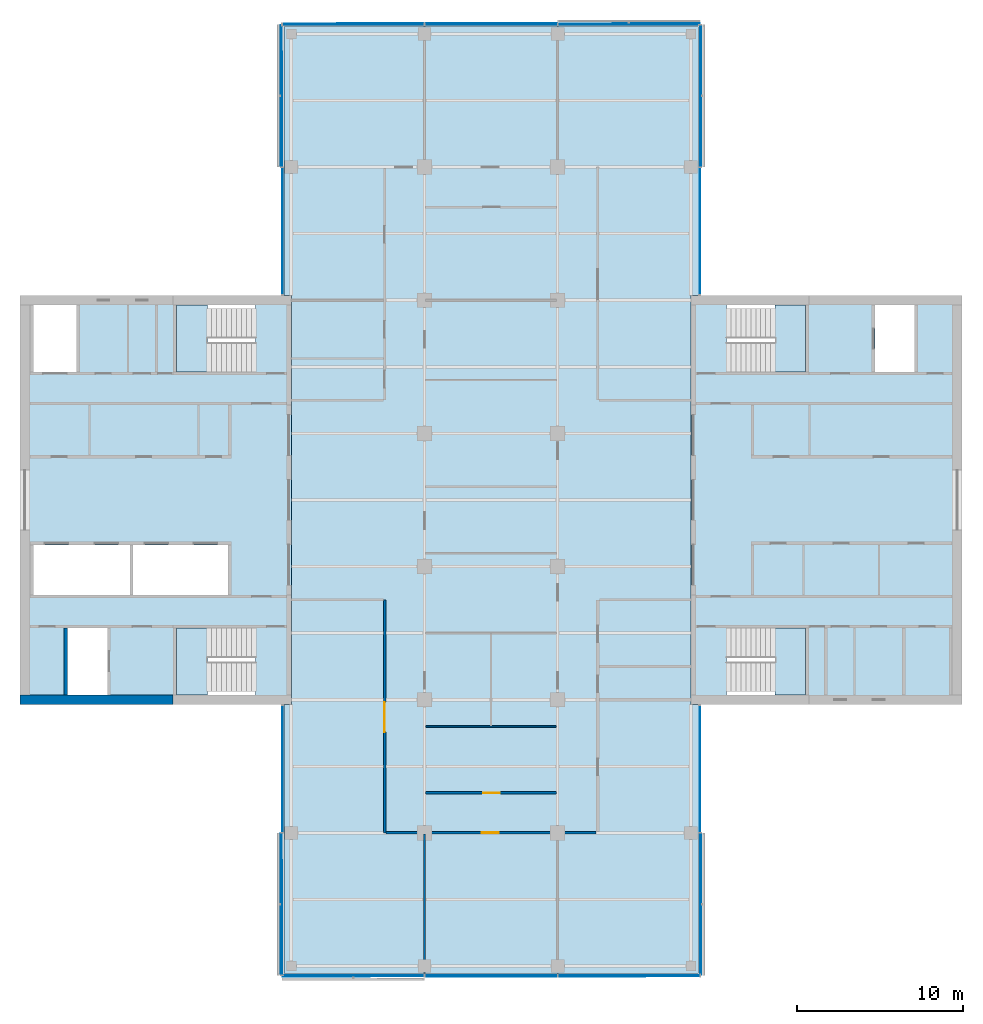
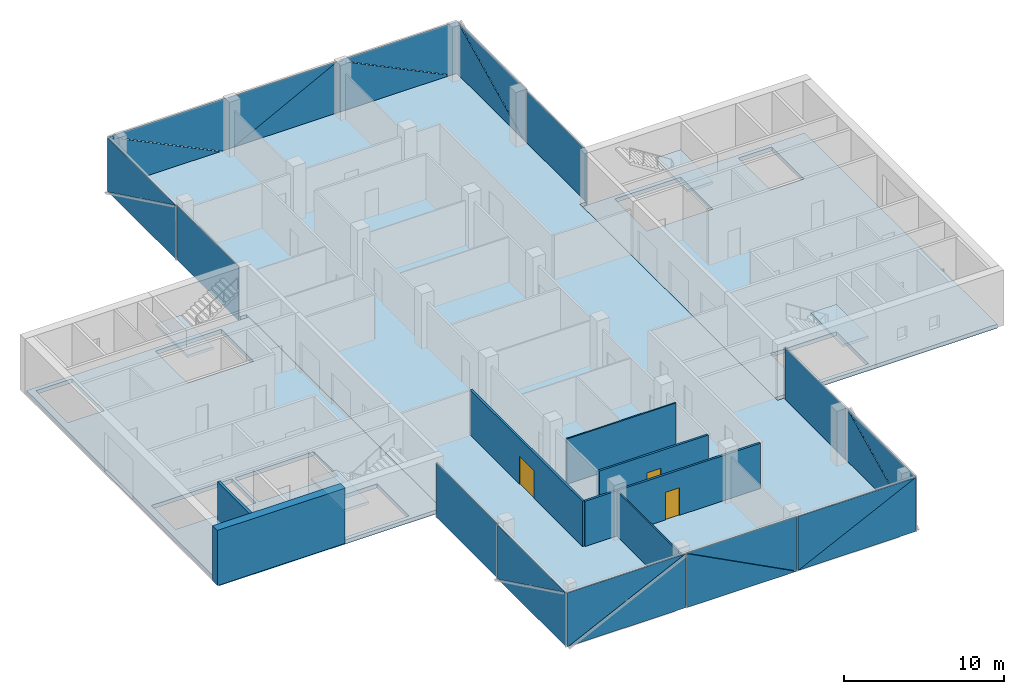
# One storey, part 8 of 15: 24 plates, 7 slabs, 7 walls, 3 doors, 3 openings, 14 elements without a shape of their own.
"""IFC4 building model written with IfcOpenShell, lengths in metres."""

from ifc_helpers import new_model, si_unit, direction, frame, frame_2d, origin, place, context, subcontext, project, spatial, polyline, rectangle, outline, extrude, material, layer, layer_set, constituent, constituent_set, type_object, element, fill, aggregate, save


model = new_model("IFC4")

# Units and contexts
model_context = context("Model", 3, precision=1e-05, world=origin(), true_north=direction((0.0, 1.0)))
body_context = subcontext(model_context, "Body", "Model", "MODEL_VIEW")
ifc_project = project(units=[si_unit("LENGTHUNIT", "METRE"), si_unit("AREAUNIT", "SQUARE_METRE"), si_unit("VOLUMEUNIT", "CUBIC_METRE"), si_unit("PLANEANGLEUNIT", "RADIAN"), si_unit("MASSUNIT", "GRAM", prefix="KILO")], contexts=[model_context])

# Site, building, storey
site_placement = place(None, origin())
site = spatial("IfcSite", under=ifc_project, at=site_placement, CompositionType="ELEMENT")
building_placement = place(site_placement, origin())
building = spatial("IfcBuilding", under=site, at=building_placement, Name="Crosswind Convention Tower", CompositionType="ELEMENT")
storey_placement = place(building_placement, frame((0.0, 0.0, 183.10009765625)))
storey = spatial("IfcBuildingStorey", under=building, at=storey_placement, Name="L38", CompositionType="ELEMENT", Elevation=183.10009765625)

# Slabs
ifc_material_1 = material(Name="Concrete C40/50", Category="concrete")
ifc_layer_1 = layer(ifc_material_1, 0.300048828125)
ifc_layer_set_1 = layer_set([ifc_layer_1], Name="Concrete C40/50")
slab_type_1 = type_object("IfcSlabType", Name="Composite floor slab 300", PredefinedType="FLOOR", material=ifc_layer_set_1)
slab_1_placement = place(storey_placement, frame((0.0, 0.0, -0.300048828125)))
element("IfcSlab", 1, at=slab_1_placement, inside=storey, type_object=slab_type_1, Name="Floor slab L38", PredefinedType="FLOOR", context=body_context, shape_type="SweptSolid", body=[
    extrude(outline(polyline([(137.449951171875, 71.550048828125), (137.0, 71.550048828125), (113.0, 71.550048828125), (112.550048828125, 71.550048828125), (112.550048828125, 72.0), (112.550048828125, 87.699951171875), (113.0, 87.699951171875), (113.0, 112.300048828125), (112.550048828125, 112.300048828125), (112.550048828125, 128.0), (112.550048828125, 128.449951171875), (113.0, 128.449951171875), (137.0, 128.449951171875), (137.449951171875, 128.449951171875), (137.449951171875, 128.0), (137.449951171875, 112.300048828125), (137.0, 112.300048828125), (137.0, 87.699951171875), (137.449951171875, 87.699951171875), (137.449951171875, 72.0), (137.449951171875, 71.550048828125)])), origin(), (0.0, 0.0, 1.0), 0.300048828125),
])
ifc_layer_2 = layer(ifc_material_1, 0.300048828125)
ifc_layer_set_2 = layer_set([ifc_layer_2], Name="Concrete C40/50")
slab_type_2 = type_object("IfcSlabType", Name="Concrete core floor slab 300", PredefinedType="FLOOR", material=ifc_layer_set_2)
slab_2_placement = place(storey_placement, frame((0.0, 0.0, -0.300048828125)))
element("IfcSlab", 2, at=slab_2_placement, inside=storey, type_object=slab_type_2, Name="Core floor slab E L38", PredefinedType="FLOOR", context=body_context, shape_type="SweptSolid", body=[
    extrude(outline(polyline([(137.0, 88.0), (153.0, 88.0), (153.0, 112.0), (137.0, 112.0), (137.0, 88.0)]), holes=[polyline([(150.449951171875, 107.699951171875), (150.449951171875, 111.699951171875), (148.050048828125, 111.699951171875), (148.050048828125, 107.699951171875), (150.449951171875, 107.699951171875)]), polyline([(143.89990234375, 107.699951171875), (143.89990234375, 111.699951171875), (139.14990234375, 111.699951171875), (139.14990234375, 107.699951171875), (143.89990234375, 107.699951171875)]), polyline([(143.89990234375, 88.300048828125), (143.89990234375, 92.300048828125), (139.14990234375, 92.300048828125), (139.14990234375, 88.300048828125), (143.89990234375, 88.300048828125)])]), origin(), (0.0, 0.0, 1.0), 0.300048828125),
])
slab_3_placement = place(storey_placement, frame((0.0, 0.0, -0.300048828125)))
element("IfcSlab", 3, at=slab_3_placement, inside=storey, type_object=slab_type_2, Name="Core floor slab W L38", PredefinedType="FLOOR", context=body_context, shape_type="SweptSolid", body=[
    extrude(outline(polyline([(97.0, 88.0), (113.0, 88.0), (113.0, 112.0), (97.0, 112.0), (97.0, 88.0)]), holes=[polyline([(109.199951171875, 94.300048828125), (109.199951171875, 97.300048828125), (103.5, 97.300048828125), (103.5, 94.300048828125), (109.199951171875, 94.300048828125)]), polyline([(103.300048828125, 94.300048828125), (103.300048828125, 97.300048828125), (97.5, 97.300048828125), (97.5, 94.300048828125), (103.300048828125, 94.300048828125)]), polyline([(101.949951171875, 88.300048828125), (101.949951171875, 92.300048828125), (99.550048828125, 92.300048828125), (99.550048828125, 88.300048828125), (101.949951171875, 88.300048828125)]), polyline([(100.10009765625, 107.699951171875), (100.10009765625, 111.699951171875), (97.5, 111.699951171875), (97.5, 107.699951171875), (100.10009765625, 107.699951171875)]), polyline([(110.85009765625, 88.300048828125), (110.85009765625, 92.300048828125), (106.10009765625, 92.300048828125), (106.10009765625, 88.300048828125), (110.85009765625, 88.300048828125)]), polyline([(110.85009765625, 107.699951171875), (110.85009765625, 111.699951171875), (106.10009765625, 111.699951171875), (106.10009765625, 107.699951171875), (110.85009765625, 107.699951171875)])]), origin(), (0.0, 0.0, 1.0), 0.300048828125),
])

# Stair, slab
stair_type = type_object("IfcStairType", Name="Exit stair 1800 wide, 2 flights of 11 risers", PredefinedType="HALF_TURN_STAIR", material=ifc_material_1)
stair_1_placement = place(storey_placement, origin())
stair_1 = element("IfcStair", 4, at=stair_1_placement, inside=storey, type_object=stair_type, Name="Exit stair ST1 L38", ObjectType="ST5", PredefinedType="HALF_TURN_STAIR")
ifc_layer_3 = layer(ifc_material_1, 0.199951171875)
ifc_layer_set_3 = layer_set([ifc_layer_3], Name="Concrete C40/50")
slab_type_3 = type_object("IfcSlabType", Name="Stair landing 200", PredefinedType="LANDING", material=ifc_layer_set_3)
slab_4_placement = place(storey_placement, frame((0.0, 0.0, 1.89990234375)))
slab_4 = element("IfcSlab", 5, at=slab_4_placement, type_object=slab_type_3, Name="ST1 landing 1", PredefinedType="LANDING", context=body_context, shape_type="SweptSolid", body=[
    extrude(outline(polyline([(143.89990234375, 107.699951171875), (143.89990234375, 111.699951171875), (142.050048828125, 111.699951171875), (142.050048828125, 107.699951171875), (143.89990234375, 107.699951171875)])), origin(), (0.0, 0.0, 1.0), 0.199951171875),
])
aggregate(stair_1, [slab_4])

stair_2_placement = place(storey_placement, origin())
stair_2 = element("IfcStair", 6, at=stair_2_placement, inside=storey, type_object=stair_type, Name="Exit stair ST2 L38", ObjectType="ST5", PredefinedType="HALF_TURN_STAIR")
slab_5_placement = place(storey_placement, frame((0.0, 0.0, 1.89990234375)))
slab_5 = element("IfcSlab", 7, at=slab_5_placement, type_object=slab_type_3, Name="ST2 landing 1", PredefinedType="LANDING", context=body_context, shape_type="SweptSolid", body=[
    extrude(outline(polyline([(143.89990234375, 88.300048828125), (143.89990234375, 92.300048828125), (142.050048828125, 92.300048828125), (142.050048828125, 88.300048828125), (143.89990234375, 88.300048828125)])), origin(), (0.0, 0.0, 1.0), 0.199951171875),
])
aggregate(stair_2, [slab_5])

stair_3_placement = place(storey_placement, origin())
stair_3 = element("IfcStair", 8, at=stair_3_placement, inside=storey, type_object=stair_type, Name="Exit stair ST3 L38", ObjectType="ST5", PredefinedType="HALF_TURN_STAIR")
slab_6_placement = place(storey_placement, frame((0.0, 0.0, 1.89990234375)))
slab_6 = element("IfcSlab", 9, at=slab_6_placement, type_object=slab_type_3, Name="ST3 landing 1", PredefinedType="LANDING", context=body_context, shape_type="SweptSolid", body=[
    extrude(outline(polyline([(107.949951171875, 88.300048828125), (107.949951171875, 92.300048828125), (106.10009765625, 92.300048828125), (106.10009765625, 88.300048828125), (107.949951171875, 88.300048828125)])), origin(), (0.0, 0.0, 1.0), 0.199951171875),
])
aggregate(stair_3, [slab_6])

stair_4_placement = place(storey_placement, origin())
stair_4 = element("IfcStair", 10, at=stair_4_placement, inside=storey, type_object=stair_type, Name="Exit stair ST4 L38", ObjectType="ST5", PredefinedType="HALF_TURN_STAIR")
slab_7_placement = place(storey_placement, frame((0.0, 0.0, 1.89990234375)))
slab_7 = element("IfcSlab", 11, at=slab_7_placement, type_object=slab_type_3, Name="ST4 landing 1", PredefinedType="LANDING", context=body_context, shape_type="SweptSolid", body=[
    extrude(outline(polyline([(107.949951171875, 107.699951171875), (107.949951171875, 111.699951171875), (106.10009765625, 111.699951171875), (106.10009765625, 107.699951171875), (107.949951171875, 107.699951171875)])), origin(), (0.0, 0.0, 1.0), 0.199951171875),
])
aggregate(stair_4, [slab_7])

# Curtain wall, plate
ifc_material_2 = material(Name="Aluminium unitised curtain wall", Category="aluminium")
curtain_wall_type_1 = type_object("IfcCurtainWallType", Name="CORE END SLOT WALL 160", PredefinedType="USERDEFINED", material=ifc_material_2)
curtain_wall_1_placement = place(storey_placement, origin())
curtain_wall_1 = element("IfcCurtainWall", 12, at=curtain_wall_1_placement, inside=storey, type_object=curtain_wall_type_1, Name="CW6 L38 N-E.1-1 slot", ObjectType="UNITISED", PredefinedType="USERDEFINED")
ifc_material_3 = material(Name="Laminated insulating glass unit", Category="glass")
ifc_layer_4 = layer(ifc_material_3, 0.02587890625)
ifc_layer_set_4 = layer_set([ifc_layer_4], Name="TRIANGULAR GLASS PANEL 26")
plate_type_1 = type_object("IfcPlateType", Name="TRIANGULAR GLASS PANEL 26", PredefinedType="CURTAIN_PANEL", material=ifc_layer_set_4)
plate_1_placement = place(storey_placement, frame((137.556884765625, 112.35009765625, -0.300048828125), z_axis=(0.999999915205, 0.0, 0.00041181312), x_axis=(0.0, 1.0, 0.0)))
plate_1 = element("IfcPlate", 13, at=plate_1_placement, type_object=plate_type_1, Name="CW6 panel 1.1", PredefinedType="CURTAIN_PANEL", context=body_context, shape_type="SweptSolid", body=[
    extrude(outline(polyline([(0.0, 0.0), (7.599853515625, 0.0), (7.599853515625, 4.149902695641109), (0.0, 4.149902695641109), (0.0, 0.0)])), origin(), (0.0, 0.0, -1.0), 0.02587890625),
])
aggregate(curtain_wall_1, [plate_1])

curtain_wall_2_placement = place(storey_placement, origin())
curtain_wall_2 = element("IfcCurtainWall", 14, at=curtain_wall_2_placement, inside=storey, type_object=curtain_wall_type_1, Name="CW6 L38 N-W.1-2 slot", ObjectType="UNITISED", PredefinedType="USERDEFINED")
plate_2_placement = place(storey_placement, frame((112.443115234375, 119.949951171875, -0.300048828125), z_axis=(-0.999999915205, 0.0, 0.00041181312), x_axis=(0.0, -1.0, 0.0)))
plate_2 = element("IfcPlate", 15, at=plate_2_placement, type_object=plate_type_1, Name="CW6 panel 1.1", PredefinedType="CURTAIN_PANEL", context=body_context, shape_type="SweptSolid", body=[
    extrude(outline(polyline([(0.0, 0.0), (7.599853515625, 0.0), (7.599853515625, 4.149902695641109), (0.0, 4.149902695641109), (0.0, 0.0)])), origin(), (0.0, 0.0, -1.0), 0.02587890625),
])
aggregate(curtain_wall_2, [plate_2])

curtain_wall_3_placement = place(storey_placement, origin())
curtain_wall_3 = element("IfcCurtainWall", 16, at=curtain_wall_3_placement, inside=storey, type_object=curtain_wall_type_1, Name="CW6 L38 S-W.1-1 slot", ObjectType="UNITISED", PredefinedType="USERDEFINED")
plate_3_placement = place(storey_placement, frame((112.443115234375, 87.64990234375, -0.300048828125), z_axis=(-0.999999915205, 0.0, 0.00041181312), x_axis=(0.0, -1.0, 0.0)))
plate_3 = element("IfcPlate", 17, at=plate_3_placement, type_object=plate_type_1, Name="CW6 panel 1.1", PredefinedType="CURTAIN_PANEL", context=body_context, shape_type="SweptSolid", body=[
    extrude(outline(polyline([(0.0, 0.0), (7.599853515625, 0.0), (7.599853515625, 4.149902695641109), (0.0, 4.149902695641109), (0.0, 0.0)])), origin(), (0.0, 0.0, -1.0), 0.02587890625),
])
aggregate(curtain_wall_3, [plate_3])

curtain_wall_4_placement = place(storey_placement, origin())
curtain_wall_4 = element("IfcCurtainWall", 18, at=curtain_wall_4_placement, inside=storey, type_object=curtain_wall_type_1, Name="CW6 L38 S-E.1-2 slot", ObjectType="UNITISED", PredefinedType="USERDEFINED")
plate_4_placement = place(storey_placement, frame((137.556884765625, 80.050048828125, -0.300048828125), z_axis=(0.999999915205, 0.0, 0.00041181312), x_axis=(0.0, 1.0, 0.0)))
plate_4 = element("IfcPlate", 19, at=plate_4_placement, type_object=plate_type_1, Name="CW6 panel 1.1", PredefinedType="CURTAIN_PANEL", context=body_context, shape_type="SweptSolid", body=[
    extrude(outline(polyline([(0.0, 0.0), (7.599853515625, 0.0), (7.599853515625, 4.149902695641109), (0.0, 4.149902695641109), (0.0, 0.0)])), origin(), (0.0, 0.0, -1.0), 0.02587890625),
])
aggregate(curtain_wall_4, [plate_4])

# Curtain wall, plates
curtain_wall_type_2 = type_object("IfcCurtainWallType", Name="OFFICE UNITISED WALL 220", PredefinedType="USERDEFINED", material=ifc_material_2)
curtain_wall_5_placement = place(storey_placement, origin())
curtain_wall_5 = element("IfcCurtainWall", 20, at=curtain_wall_5_placement, inside=storey, type_object=curtain_wall_type_2, Name="CW3 L38 N-E 1", ObjectType="UNITISED", PredefinedType="USERDEFINED")
ifc_layer_5 = layer(ifc_material_3, 0.031982421875)
ifc_layer_set_5 = layer_set([ifc_layer_5], Name="TRIANGULAR GLASS PANEL 32")
plate_type_2 = type_object("IfcPlateType", Name="TRIANGULAR GLASS PANEL 32", PredefinedType="CURTAIN_PANEL", material=ifc_layer_set_5)
plate_5_placement = place(storey_placement, frame((137.5927734375, 128.52490234375, -0.300048828125), z_axis=(0.999999913924, 0.0, 0.000414913129), x_axis=(-0.000414913129, 0.0, 0.999999913924)))
plate_5 = element("IfcPlate", 21, at=plate_5_placement, type_object=plate_type_2, Name="CW3 panel 1.1", PredefinedType="CURTAIN_PANEL", context=body_context, shape_type="SweptSolid", body=[
    extrude(outline(polyline([(0.0, 0.0), (4.118896838915043, 0.0), (0.0, 8.467041015624998), (0.0, 0.0)])), origin(), (0.0, 0.0, -1.0), 0.031982421875),
])
plate_6_placement = place(storey_placement, frame((137.625244140625, 120.034912109375, 3.829833984375), z_axis=(0.99999993676, 0.0, 0.000355639833), x_axis=(0.000355639833, 0.0, -0.99999993676)))
plate_6 = element("IfcPlate", 22, at=plate_6_placement, type_object=plate_type_2, Name="CW3 panel 1.2", PredefinedType="CURTAIN_PANEL", context=body_context, shape_type="SweptSolid", body=[
    extrude(outline(polyline([(0.0, 0.0), (4.1188967448534015, 0.0), (0.0, 8.46728515625), (0.0, 0.0)])), origin(), (0.0, 0.0, -1.0), 0.031982421875),
])
aggregate(curtain_wall_5, [plate_5, plate_6])

curtain_wall_6_placement = place(storey_placement, origin())
curtain_wall_6 = element("IfcCurtainWall", 23, at=curtain_wall_6_placement, inside=storey, type_object=curtain_wall_type_2, Name="CW3 L38 N-TIP 1", ObjectType="UNITISED", PredefinedType="USERDEFINED")
plate_7_placement = place(storey_placement, frame((129.034912109375, 128.5927734375, -0.300048828125), z_axis=(0.0, 0.999999913924, 0.000414913129), x_axis=(0.0, -0.000414913129, 0.999999913924)))
plate_7 = element("IfcPlate", 24, at=plate_7_placement, type_object=plate_type_2, Name="CW3 panel 1.1", PredefinedType="CURTAIN_PANEL", context=body_context, shape_type="SweptSolid", body=[
    extrude(outline(polyline([(0.0, 0.0), (4.118896838915043, 0.0), (0.0, 8.467285156249998), (0.0, 0.0)])), origin(), (0.0, 0.0, -1.0), 0.031982421875),
])
plate_8_placement = place(storey_placement, frame((137.52490234375, 128.625244140625, 3.829833984375), z_axis=(0.0, 0.99999993676, 0.000355639833), x_axis=(0.0, 0.000355639833, -0.99999993676)))
plate_8 = element("IfcPlate", 25, at=plate_8_placement, type_object=plate_type_2, Name="CW3 panel 1.2", PredefinedType="CURTAIN_PANEL", context=body_context, shape_type="SweptSolid", body=[
    extrude(outline(polyline([(0.0, 0.0), (4.1188967448534015, 0.0), (0.0, 8.467041015625), (0.0, 0.0)])), origin(), (0.0, 0.0, -1.0), 0.031982421875),
])
plate_9_placement = place(storey_placement, frame((121.034912109375, 128.591064453125, 3.829833984375), z_axis=(0.0, 0.999999913913, 0.000414937724), x_axis=(1.0, 0.0, 0.0)))
plate_9 = element("IfcPlate", 26, at=plate_9_placement, type_object=plate_type_2, Name="CW3 panel 2.1", PredefinedType="CURTAIN_PANEL", context=body_context, shape_type="SweptSolid", body=[
    extrude(outline(polyline([(0.0, 0.0), (7.908447265625, 0.0), (0.0, 4.118652698311059), (0.0, 0.0)])), origin(), (0.0, 0.0, -1.0), 0.031982421875),
])
plate_10_placement = place(storey_placement, frame((128.965087890625, 128.626708984375, -0.300048828125), z_axis=(0.0, 0.999999936753, 0.000355660914), x_axis=(-1.0, 0.0, 0.0)))
plate_10 = element("IfcPlate", 27, at=plate_10_placement, type_object=plate_type_2, Name="CW3 panel 2.2", PredefinedType="CURTAIN_PANEL", context=body_context, shape_type="SweptSolid", body=[
    extrude(outline(polyline([(0.0, 0.0), (7.908447265625, 0.0), (0.0, 4.118652604243842), (0.0, 0.0)])), origin(), (0.0, 0.0, -1.0), 0.031982421875),
])
plate_11_placement = place(storey_placement, frame((112.47509765625, 128.5927734375, -0.300048828125), z_axis=(0.0, 0.999999913924, 0.000414913129), x_axis=(0.0, -0.000414913129, 0.999999913924)))
plate_11 = element("IfcPlate", 28, at=plate_11_placement, type_object=plate_type_2, Name="CW3 panel 3.1", PredefinedType="CURTAIN_PANEL", context=body_context, shape_type="SweptSolid", body=[
    extrude(outline(polyline([(0.0, 0.0), (4.118896838915043, 0.0), (0.0, 8.467041015624998), (0.0, 0.0)])), origin(), (0.0, 0.0, -1.0), 0.031982421875),
])
plate_12_placement = place(storey_placement, frame((120.965087890625, 128.625244140625, 3.829833984375), z_axis=(0.0, 0.99999993676, 0.000355639833), x_axis=(0.0, 0.000355639833, -0.99999993676)))
plate_12 = element("IfcPlate", 29, at=plate_12_placement, type_object=plate_type_2, Name="CW3 panel 3.2", PredefinedType="CURTAIN_PANEL", context=body_context, shape_type="SweptSolid", body=[
    extrude(outline(polyline([(0.0, 0.0), (4.1188967448534015, 0.0), (0.0, 8.46728515625), (0.0, 0.0)])), origin(), (0.0, 0.0, -1.0), 0.031982421875),
])
aggregate(curtain_wall_6, [plate_7, plate_8, plate_9, plate_10, plate_11, plate_12])

curtain_wall_7_placement = place(storey_placement, origin())
curtain_wall_7 = element("IfcCurtainWall", 30, at=curtain_wall_7_placement, inside=storey, type_object=curtain_wall_type_2, Name="CW3 L38 N-W 1", ObjectType="UNITISED", PredefinedType="USERDEFINED")
plate_13_placement = place(storey_placement, frame((112.4072265625, 120.034912109375, -0.300048828125), z_axis=(-0.999999913924, 0.0, 0.000414913129), x_axis=(0.000414913129, 0.0, 0.999999913924)))
plate_13 = element("IfcPlate", 31, at=plate_13_placement, type_object=plate_type_2, Name="CW3 panel 1.1", PredefinedType="CURTAIN_PANEL", context=body_context, shape_type="SweptSolid", body=[
    extrude(outline(polyline([(0.0, 0.0), (4.118896838915043, 0.0), (0.0, 8.467285156249998), (0.0, 0.0)])), origin(), (0.0, 0.0, -1.0), 0.031982421875),
])
plate_14_placement = place(storey_placement, frame((112.374755859375, 128.52490234375, 3.829833984375), z_axis=(-0.99999993676, 0.0, 0.000355639833), x_axis=(-0.000355639833, 0.0, -0.99999993676)))
plate_14 = element("IfcPlate", 32, at=plate_14_placement, type_object=plate_type_2, Name="CW3 panel 1.2", PredefinedType="CURTAIN_PANEL", context=body_context, shape_type="SweptSolid", body=[
    extrude(outline(polyline([(0.0, 0.0), (4.1188967448534015, 0.0), (0.0, 8.467041015625), (0.0, 0.0)])), origin(), (0.0, 0.0, -1.0), 0.031982421875),
])
aggregate(curtain_wall_7, [plate_13, plate_14])

curtain_wall_8_placement = place(storey_placement, origin())
curtain_wall_8 = element("IfcCurtainWall", 33, at=curtain_wall_8_placement, inside=storey, type_object=curtain_wall_type_2, Name="CW3 L38 S-W 1", ObjectType="UNITISED", PredefinedType="USERDEFINED")
plate_15_placement = place(storey_placement, frame((112.4072265625, 71.47509765625, -0.300048828125), z_axis=(-0.999999913924, 0.0, 0.000414913129), x_axis=(0.000414913129, 0.0, 0.999999913924)))
plate_15 = element("IfcPlate", 34, at=plate_15_placement, type_object=plate_type_2, Name="CW3 panel 1.1", PredefinedType="CURTAIN_PANEL", context=body_context, shape_type="SweptSolid", body=[
    extrude(outline(polyline([(0.0, 0.0), (4.118896838915043, 0.0), (0.0, 8.467041015624998), (0.0, 0.0)])), origin(), (0.0, 0.0, -1.0), 0.031982421875),
])
plate_16_placement = place(storey_placement, frame((112.374755859375, 79.965087890625, 3.829833984375), z_axis=(-0.99999993676, 0.0, 0.000355639833), x_axis=(-0.000355639833, 0.0, -0.99999993676)))
plate_16 = element("IfcPlate", 35, at=plate_16_placement, type_object=plate_type_2, Name="CW3 panel 1.2", PredefinedType="CURTAIN_PANEL", context=body_context, shape_type="SweptSolid", body=[
    extrude(outline(polyline([(0.0, 0.0), (4.1188967448534015, 0.0), (0.0, 8.46728515625), (0.0, 0.0)])), origin(), (0.0, 0.0, -1.0), 0.031982421875),
])
aggregate(curtain_wall_8, [plate_15, plate_16])

curtain_wall_9_placement = place(storey_placement, origin())
curtain_wall_9 = element("IfcCurtainWall", 36, at=curtain_wall_9_placement, inside=storey, type_object=curtain_wall_type_2, Name="CW3 L38 S-TIP 1", ObjectType="UNITISED", PredefinedType="USERDEFINED")
plate_17_placement = place(storey_placement, frame((120.965087890625, 71.4072265625, -0.300048828125), z_axis=(0.0, -0.999999913924, 0.000414913129), x_axis=(0.0, 0.000414913129, 0.999999913924)))
plate_17 = element("IfcPlate", 37, at=plate_17_placement, type_object=plate_type_2, Name="CW3 panel 1.1", PredefinedType="CURTAIN_PANEL", context=body_context, shape_type="SweptSolid", body=[
    extrude(outline(polyline([(0.0, 0.0), (4.118896838915043, 0.0), (0.0, 8.467285156249998), (0.0, 0.0)])), origin(), (0.0, 0.0, -1.0), 0.031982421875),
])
plate_18_placement = place(storey_placement, frame((112.47509765625, 71.374755859375, 3.829833984375), z_axis=(0.0, -0.99999993676, 0.000355639833), x_axis=(0.0, -0.000355639833, -0.99999993676)))
plate_18 = element("IfcPlate", 38, at=plate_18_placement, type_object=plate_type_2, Name="CW3 panel 1.2", PredefinedType="CURTAIN_PANEL", context=body_context, shape_type="SweptSolid", body=[
    extrude(outline(polyline([(0.0, 0.0), (4.1188967448534015, 0.0), (0.0, 8.467041015625), (0.0, 0.0)])), origin(), (0.0, 0.0, -1.0), 0.031982421875),
])
plate_19_placement = place(storey_placement, frame((128.965087890625, 71.408935546875, 3.829833984375), z_axis=(0.0, -0.999999913913, 0.000414937724), x_axis=(-1.0, 0.0, 0.0)))
plate_19 = element("IfcPlate", 39, at=plate_19_placement, type_object=plate_type_2, Name="CW3 panel 2.1", PredefinedType="CURTAIN_PANEL", context=body_context, shape_type="SweptSolid", body=[
    extrude(outline(polyline([(0.0, 0.0), (7.908447265625, 0.0), (0.0, 4.118652698311059), (0.0, 0.0)])), origin(), (0.0, 0.0, -1.0), 0.031982421875),
])
plate_20_placement = place(storey_placement, frame((121.034912109375, 71.373291015625, -0.300048828125), z_axis=(0.0, -0.999999936753, 0.000355660914), x_axis=(1.0, 0.0, 0.0)))
plate_20 = element("IfcPlate", 40, at=plate_20_placement, type_object=plate_type_2, Name="CW3 panel 2.2", PredefinedType="CURTAIN_PANEL", context=body_context, shape_type="SweptSolid", body=[
    extrude(outline(polyline([(0.0, 0.0), (7.908447265625, 0.0), (0.0, 4.118652604243842), (0.0, 0.0)])), origin(), (0.0, 0.0, -1.0), 0.031982421875),
])
plate_21_placement = place(storey_placement, frame((137.52490234375, 71.4072265625, -0.300048828125), z_axis=(0.0, -0.999999913924, 0.000414913129), x_axis=(0.0, 0.000414913129, 0.999999913924)))
plate_21 = element("IfcPlate", 41, at=plate_21_placement, type_object=plate_type_2, Name="CW3 panel 3.1", PredefinedType="CURTAIN_PANEL", context=body_context, shape_type="SweptSolid", body=[
    extrude(outline(polyline([(0.0, 0.0), (4.118896838915043, 0.0), (0.0, 8.467041015624998), (0.0, 0.0)])), origin(), (0.0, 0.0, -1.0), 0.031982421875),
])
plate_22_placement = place(storey_placement, frame((129.034912109375, 71.374755859375, 3.829833984375), z_axis=(0.0, -0.99999993676, 0.000355639833), x_axis=(0.0, -0.000355639833, -0.99999993676)))
plate_22 = element("IfcPlate", 42, at=plate_22_placement, type_object=plate_type_2, Name="CW3 panel 3.2", PredefinedType="CURTAIN_PANEL", context=body_context, shape_type="SweptSolid", body=[
    extrude(outline(polyline([(0.0, 0.0), (4.1188967448534015, 0.0), (0.0, 8.46728515625), (0.0, 0.0)])), origin(), (0.0, 0.0, -1.0), 0.031982421875),
])
aggregate(curtain_wall_9, [plate_17, plate_18, plate_19, plate_20, plate_21, plate_22])

curtain_wall_10_placement = place(storey_placement, origin())
curtain_wall_10 = element("IfcCurtainWall", 43, at=curtain_wall_10_placement, inside=storey, type_object=curtain_wall_type_2, Name="CW3 L38 S-E 1", ObjectType="UNITISED", PredefinedType="USERDEFINED")
plate_23_placement = place(storey_placement, frame((137.5927734375, 79.965087890625, -0.300048828125), z_axis=(0.999999913924, 0.0, 0.000414913129), x_axis=(-0.000414913129, 0.0, 0.999999913924)))
plate_23 = element("IfcPlate", 44, at=plate_23_placement, type_object=plate_type_2, Name="CW3 panel 1.1", PredefinedType="CURTAIN_PANEL", context=body_context, shape_type="SweptSolid", body=[
    extrude(outline(polyline([(0.0, 0.0), (4.118896838915043, 0.0), (0.0, 8.467285156249998), (0.0, 0.0)])), origin(), (0.0, 0.0, -1.0), 0.031982421875),
])
plate_24_placement = place(storey_placement, frame((137.625244140625, 71.47509765625, 3.829833984375), z_axis=(0.99999993676, 0.0, 0.000355639833), x_axis=(0.000355639833, 0.0, -0.99999993676)))
plate_24 = element("IfcPlate", 45, at=plate_24_placement, type_object=plate_type_2, Name="CW3 panel 1.2", PredefinedType="CURTAIN_PANEL", context=body_context, shape_type="SweptSolid", body=[
    extrude(outline(polyline([(0.0, 0.0), (4.1188967448534015, 0.0), (0.0, 8.467041015625), (0.0, 0.0)])), origin(), (0.0, 0.0, -1.0), 0.031982421875),
])
aggregate(curtain_wall_10, [plate_23, plate_24])

# Walls
ifc_material_4 = material(Name="Concrete C50/60", Category="concrete")
ifc_layer_6 = layer(ifc_material_4, 0.199951171875)
ifc_layer_set_6 = layer_set([ifc_layer_6], Name="Concrete C50/60")
wall_type_1 = type_object("IfcWallType", Name="Concrete shaft and stair wall 200", PredefinedType="SHEAR", material=ifc_layer_set_6)
wall_1_placement = place(storey_placement, frame((99.449951171875, 92.300048828125, 0.0), z_axis=(0.0, 0.0, 1.0), x_axis=(0.0, -1.0, 0.0)))
element("IfcWall", 46, at=wall_1_placement, inside=storey, type_object=wall_type_1, Name="Wall PFSE W L38", PredefinedType="SHEAR", context=body_context, shape_type="SweptSolid", body=[
    extrude(rectangle(XDim=4.0, YDim=0.199951171875, at=frame_2d((2.0, 0.0))), origin(), (0.0, 0.0, 1.0), 4.199951171875),
])
ifc_material_5 = material(Name="Plasterboard partition", Category="gypsum")
ifc_layer_7 = layer(ifc_material_5, 0.10009765625)
ifc_layer_set_7 = layer_set([ifc_layer_7], Name="PARTITION 100 METAL STUD")
wall_type_2 = type_object("IfcWallType", Name="PARTITION 100 METAL STUD", PredefinedType="PARTITIONING", material=ifc_layer_set_7)
wall_2_placement = place(storey_placement, frame((121.0, 71.6298828125, 0.0), z_axis=(0.0, 0.0, 1.0), x_axis=(0.0, 1.0, 0.0)))
element("IfcWall", 47, at=wall_2_placement, inside=storey, type_object=wall_type_2, Name="Partition wall WT40", PredefinedType="PARTITIONING", context=body_context, shape_type="SweptSolid", body=[
    extrude(rectangle(XDim=8.295166015625, YDim=0.10009765625, at=frame_2d((4.1474609375, 0.0))), origin(), (0.0, 0.0, 1.0), 3.439697265625),
])
wall_3_placement = place(storey_placement, frame((121.074951171875, 86.39990234375, 0.0), z_axis=(0.0, 0.0, 1.0), x_axis=(1.0, 0.0, 0.0)))
element("IfcWall", 48, at=wall_3_placement, inside=storey, type_object=wall_type_2, Name="Partition wall WT40", PredefinedType="PARTITIONING", context=body_context, shape_type="SweptSolid", body=[
    extrude(rectangle(XDim=7.85009765625, YDim=0.10009765625, at=frame_2d((3.925048828125, 0.0))), origin(), (0.0, 0.0, 1.0), 3.439697265625),
])

# Wall, opening, door
ifc_material_6 = material(Name="Fire-board partition with mineral wool", Category="gypsum")
ifc_layer_8 = layer(ifc_material_6, 0.14990234375)
ifc_layer_set_8 = layer_set([ifc_layer_8], Name="TENANCY WALL 150 TWO-HOUR BOARD")
wall_type_3 = type_object("IfcWallType", Name="TENANCY WALL 150 TWO-HOUR BOARD", PredefinedType="PARTITIONING", material=ifc_layer_set_8)
wall_4_placement = place(storey_placement, frame((118.60009765625, 80.0, 0.0), z_axis=(0.0, 0.0, 1.0), x_axis=(0.0, 1.0, 0.0)))
wall_4 = element("IfcWall", 49, at=wall_4_placement, inside=storey, type_object=wall_type_3, Name="Tenancy wall WT41", PredefinedType="PARTITIONING", context=body_context, shape_type="SweptSolid", body=[
    extrude(rectangle(XDim=14.0, YDim=0.14990234375, at=frame_2d((7.0, 0.0))), origin(), (0.0, 0.0, 1.0), 3.439697265625),
])
opening_1_placement = place(wall_4_placement, frame((6.050048828125, 0.0, 0.0)))
opening_1 = element("IfcOpeningElement", 50, at=opening_1_placement, cuts=wall_4, Name="Opening L38-57", PredefinedType="OPENING", context=body_context, shape_type="SweptSolid", body=[
    extrude(rectangle(XDim=1.800048828125, YDim=2.10009765625, at=frame_2d((0.89990234375, 1.050048828125))), frame((0.0, 0.0849609375, 0.0), z_axis=(0.0, -1.0, 0.0), x_axis=(1.0, 0.0, 0.0)), (0.0, 0.0, 1.0), 0.169921875),
])
ifc_material_7 = material(Name="Timber fire door", Category="wood")
door_type_1 = type_object("IfcDoorType", Name="TENANCY ENTRANCE DOUBLE DOOR 1800X2100 FD30S", OperationType="DOUBLE_DOOR_SINGLE_SWING", PredefinedType="DOOR", material=ifc_material_7)
door_1_placement = place(opening_1_placement, origin())
door_1 = element("IfcDoor", 51, at=door_1_placement, inside=storey, type_object=door_type_1, Name="Door L38-57", ObjectType="D42", OperationType="DOUBLE_DOOR_SINGLE_SWING", OverallHeight=2.10009765625, OverallWidth=1.800048828125, PredefinedType="DOOR", context=body_context, shape_type="SweptSolid", body=[
    extrude(rectangle(XDim=1.800048828125, YDim=2.10009765625, at=frame_2d((0.89990234375, 1.050048828125))), frame((0.0, 0.02490234375, 0.0), z_axis=(0.0, -1.0, 0.0), x_axis=(1.0, 0.0, 0.0)), (0.0, 0.0, 1.0), 0.050048828125),
])
fill(opening_1, door_1)

wall_5_placement = place(storey_placement, frame((118.675048828125, 80.0, 0.0), z_axis=(0.0, 0.0, 1.0), x_axis=(1.0, 0.0, 0.0)))
wall_5 = element("IfcWall", 52, at=wall_5_placement, inside=storey, type_object=wall_type_3, Name="Tenancy wall WT41", PredefinedType="PARTITIONING", context=body_context, shape_type="SweptSolid", body=[
    extrude(rectangle(XDim=12.625, YDim=0.14990234375, at=frame_2d((6.3125, 0.0))), origin(), (0.0, 0.0, 1.0), 3.439697265625),
])
opening_2_placement = place(wall_5_placement, frame((5.77490234375, 0.0, 0.0)))
opening_2 = element("IfcOpeningElement", 53, at=opening_2_placement, cuts=wall_5, Name="Opening L38-60", PredefinedType="OPENING", context=body_context, shape_type="SweptSolid", body=[
    extrude(rectangle(XDim=1.0, YDim=2.10009765625, at=frame_2d((0.5, 1.050048828125))), frame((0.0, 0.0849609375, 0.0), z_axis=(0.0, -1.0, 0.0), x_axis=(1.0, 0.0, 0.0)), (0.0, 0.0, 1.0), 0.169921875),
])
door_type_2 = type_object("IfcDoorType", Name="TENANCY ENTRANCE DOOR 1000X2100 FD30S", OperationType="NOTDEFINED", PredefinedType="DOOR", material=ifc_material_7)
door_2_placement = place(opening_2_placement, frame((1.0, 0.0, 0.0), z_axis=(0.0, 0.0, 1.0), x_axis=(-1.0, 0.0, 0.0)))
door_2 = element("IfcDoor", 54, at=door_2_placement, inside=storey, type_object=door_type_2, Name="Door L38-60", ObjectType="D41", OperationType="SINGLE_SWING_RIGHT", OverallHeight=2.10009765625, OverallWidth=1.0, PredefinedType="DOOR", context=body_context, shape_type="SweptSolid", body=[
    extrude(rectangle(XDim=1.0, YDim=2.10009765625, at=frame_2d((0.5, 1.050048828125))), frame((0.0, 0.02490234375, 0.0), z_axis=(0.0, -1.0, 0.0), x_axis=(1.0, 0.0, 0.0)), (0.0, 0.0, 1.0), 0.050048828125),
])
fill(opening_2, door_2)

wall_6_placement = place(storey_placement, frame((121.074951171875, 82.39990234375, 0.0), z_axis=(0.0, 0.0, 1.0), x_axis=(1.0, 0.0, 0.0)))
wall_6 = element("IfcWall", 55, at=wall_6_placement, inside=storey, type_object=wall_type_3, Name="Tenancy wall WT41", PredefinedType="PARTITIONING", context=body_context, shape_type="SweptSolid", body=[
    extrude(rectangle(XDim=7.85009765625, YDim=0.14990234375, at=frame_2d((3.925048828125, 0.0))), origin(), (0.0, 0.0, 1.0), 3.439697265625),
])
opening_3_placement = place(wall_6_placement, frame((3.449951171875, 0.0, 0.0)))
opening_3 = element("IfcOpeningElement", 56, at=opening_3_placement, cuts=wall_6, Name="Opening L38-61", PredefinedType="OPENING", context=body_context, shape_type="SweptSolid", body=[
    extrude(rectangle(XDim=1.0, YDim=2.10009765625, at=frame_2d((0.5, 1.050048828125))), frame((0.0, 0.0849609375, 0.0), z_axis=(0.0, -1.0, 0.0), x_axis=(1.0, 0.0, 0.0)), (0.0, 0.0, 1.0), 0.169921875),
])
door_3_placement = place(opening_3_placement, origin())
door_3 = element("IfcDoor", 57, at=door_3_placement, inside=storey, type_object=door_type_2, Name="Door L38-61", ObjectType="D41", OperationType="SINGLE_SWING_RIGHT", OverallHeight=2.10009765625, OverallWidth=1.0, PredefinedType="DOOR", context=body_context, shape_type="SweptSolid", body=[
    extrude(rectangle(XDim=1.0, YDim=2.10009765625, at=frame_2d((0.5, 1.050048828125))), frame((0.0, 0.02490234375, 0.0), z_axis=(0.0, -1.0, 0.0), x_axis=(1.0, 0.0, 0.0)), (0.0, 0.0, 1.0), 0.050048828125),
])
fill(opening_3, door_3)

# Wall
ifc_material_8 = material(Name="Concrete C60/75", Category="concrete")
ifc_constituent_1 = constituent(ifc_material_8, Name="Structure")
ifc_material_9 = material(Name="Terracotta rainscreen", Category="ceramic")
ifc_constituent_2 = constituent(ifc_material_9, Name="Facing")
ifc_constituent_set = constituent_set(constituents=[ifc_constituent_1, ifc_constituent_2], Name="Concrete C60/75, Terracotta rainscreen")
wall_type_4 = type_object("IfcWallType", Name="Terracotta rainscreen on concrete core wall 600", PredefinedType="SHEAR", material=ifc_constituent_set)
wall_7_placement = place(storey_placement, frame((105.89990234375, 88.0, 0.0), z_axis=(0.0, 0.0, 1.0), x_axis=(-1.0, 0.0, 0.0)))
element("IfcWall", 58, at=wall_7_placement, inside=storey, type_object=wall_type_4, Name="Wall N2 W L38", PredefinedType="SHEAR", context=body_context, shape_type="SweptSolid", body=[
    extrude(rectangle(XDim=9.199951171875, YDim=0.60009765625, at=frame_2d((4.60009765625, 0.0))), origin(), (0.0, 0.0, 1.0), 4.199951171875),
])

save(model, "model.ifc")
